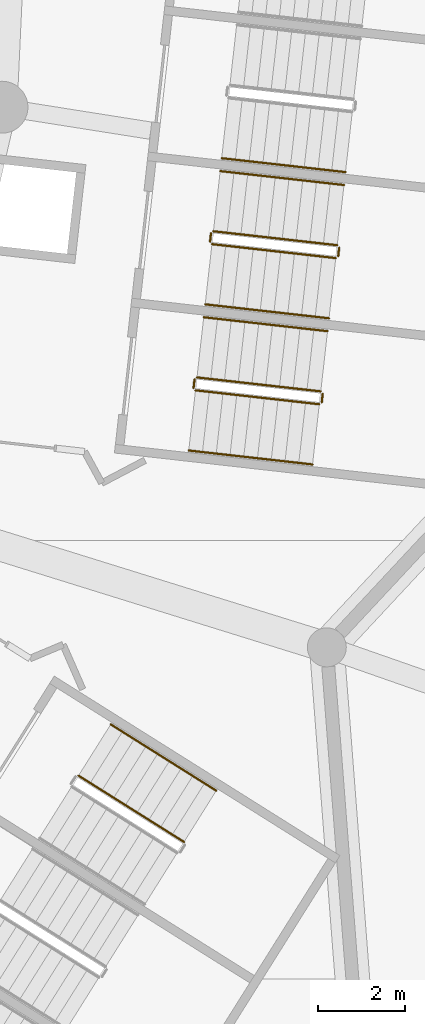
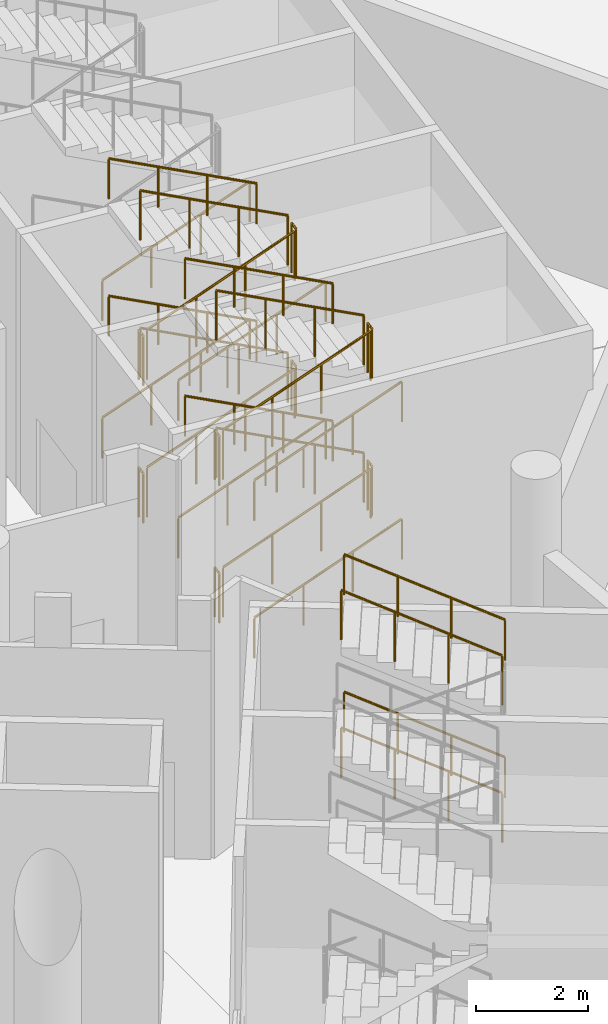
# One storey, part 223 of 249: 30 railings.
"""IFC4 building model written with IfcOpenShell, lengths in metres."""

from ifc_helpers import new_model, si_unit, direction, frame, origin, origin_2d, place, context, subcontext, project, spatial, circle, extrude, material, type_object, element, save


model = new_model("IFC4")

# Units and contexts
model_context = context("Model", 3, precision=1e-05, world=origin(), true_north=direction((0.0, 1.0)))
body_context = subcontext(model_context, "Body", "Model", "MODEL_VIEW")
ifc_project = project(units=[si_unit("LENGTHUNIT", "METRE"), si_unit("AREAUNIT", "SQUARE_METRE"), si_unit("VOLUMEUNIT", "CUBIC_METRE"), si_unit("PLANEANGLEUNIT", "RADIAN"), si_unit("MASSUNIT", "GRAM", prefix="KILO")], contexts=[model_context])

# Site, building, storey
site_placement = place(None, origin())
site = spatial("IfcSite", under=ifc_project, at=site_placement, CompositionType="ELEMENT")
building_placement = place(site_placement, origin())
building = spatial("IfcBuilding", under=site, at=building_placement, Name="Meseta Stadium", CompositionType="ELEMENT")
storey_placement = place(building_placement, frame((0.0, 0.0, 12.0)))
storey = spatial("IfcBuildingStorey", under=building, at=storey_placement, Name="L02", CompositionType="ELEMENT", Elevation=12.0)

# Railings
ifc_material_1 = material(Name="Steel S355", Category="steel")
railing_type_1 = type_object("IfcRailingType", Name="Stair guard 1100", PredefinedType="GUARDRAIL", material=ifc_material_1)
railing_1_placement = place(storey_placement, frame((88.83740234375, -60.10986328125, 0.14990234375)))
element("IfcRailing", 1, at=railing_1_placement, inside=storey, type_object=railing_type_1, Name="ST1 L02 guard 1", PredefinedType="GUARDRAIL", context=body_context, shape_type="SweptSolid", body=[
    extrude(circle(Radius=0.02392578125, at=origin_2d()), frame((0.0, 0.0, 1.076171875), z_axis=(0.899747905232, -0.10139626197, 0.424467319223), x_axis=(0.111985219376, 0.993709872468, 0.0)), (0.0, 0.0, 1.0), 3.1806640625),
    extrude(circle(Radius=0.02099609375, at=origin_2d()), origin(), (0.0, 0.0, 1.0), 1.052001953125),
    extrude(circle(Radius=0.02099609375, at=origin_2d()), frame((0.953857421875, -0.107421875, 0.449951171875)), (0.0, 0.0, 1.0), 1.052001953125),
    extrude(circle(Radius=0.02099609375, at=origin_2d()), frame((1.907958984375, -0.215087890625, 0.900146484375)), (0.0, 0.0, 1.0), 1.052001953125),
    extrude(circle(Radius=0.02099609375, at=origin_2d()), frame((2.86181640625, -0.322509765625, 1.35009765625)), (0.0, 0.0, 1.0), 1.052001953125),
])
railing_2_placement = place(storey_placement, frame((91.754638671875, -60.38818359375, 1.5)))
element("IfcRailing", 2, at=railing_2_placement, inside=storey, type_object=railing_type_1, Name="ST1 L02 guard 2", PredefinedType="GUARDRAIL", context=body_context, shape_type="SweptSolid", body=[
    extrude(circle(Radius=0.02392578125, at=origin_2d()), frame((0.0, 0.0, 1.076171875), z_axis=(0.112307083986, 0.993673547442, 0.0), x_axis=(-0.993673547442, 0.112307083986, 0.0)), (0.0, 0.0, 1.0), 0.199951171875),
    extrude(circle(Radius=0.02099609375, at=origin_2d()), origin(), (0.0, 0.0, 1.0), 1.052001953125),
    extrude(circle(Radius=0.02099609375, at=origin_2d()), frame((0.0224609375, 0.19873046875, 0.0)), (0.0, 0.0, 1.0), 1.052001953125),
])
railing_3_placement = place(storey_placement, frame((91.73291015625, -60.13427734375, 1.64990234375)))
element("IfcRailing", 3, at=railing_3_placement, inside=storey, type_object=railing_type_1, Name="ST1 L02 guard 3", PredefinedType="GUARDRAIL", context=body_context, shape_type="SweptSolid", body=[
    extrude(circle(Radius=0.02392578125, at=origin_2d()), frame((0.0, 0.0, 1.076171875), z_axis=(-0.899747905232, 0.10139626197, 0.424467319223), x_axis=(-0.111985219376, -0.993709872468, 0.0)), (0.0, 0.0, 1.0), 3.1806640625),
    extrude(circle(Radius=0.02099609375, at=origin_2d()), origin(), (0.0, 0.0, 1.0), 1.052001953125),
    extrude(circle(Radius=0.02099609375, at=origin_2d()), frame((-0.953857421875, 0.107421875, 0.449951171875)), (0.0, 0.0, 1.0), 1.052001953125),
    extrude(circle(Radius=0.02099609375, at=origin_2d()), frame((-1.907958984375, 0.215087890625, 0.900146484375)), (0.0, 0.0, 1.0), 1.052001953125),
    extrude(circle(Radius=0.02099609375, at=origin_2d()), frame((-2.86181640625, 0.322509765625, 1.35009765625)), (0.0, 0.0, 1.0), 1.052001953125),
])
railing_4_placement = place(storey_placement, frame((88.793212890625, -60.054443359375, 3.0)))
element("IfcRailing", 4, at=railing_4_placement, inside=storey, type_object=railing_type_1, Name="ST1 L02 guard 4", PredefinedType="GUARDRAIL", context=body_context, shape_type="SweptSolid", body=[
    extrude(circle(Radius=0.02392578125, at=origin_2d()), frame((0.0, 0.0, 1.076171875), z_axis=(0.112307083986, 0.993673547442, 0.0), x_axis=(-0.993673547442, 0.112307083986, 0.0)), (0.0, 0.0, 1.0), 0.199951171875),
    extrude(circle(Radius=0.02099609375, at=origin_2d()), origin(), (0.0, 0.0, 1.0), 1.052001953125),
    extrude(circle(Radius=0.02099609375, at=origin_2d()), frame((0.0224609375, 0.19873046875, 0.0)), (0.0, 0.0, 1.0), 1.052001953125),
])
railing_5_placement = place(storey_placement, frame((88.83740234375, -60.10986328125, 3.14990234375)))
element("IfcRailing", 5, at=railing_5_placement, inside=storey, type_object=railing_type_1, Name="ST1 L02 guard 5", PredefinedType="GUARDRAIL", context=body_context, shape_type="SweptSolid", body=[
    extrude(circle(Radius=0.02392578125, at=origin_2d()), frame((0.0, 0.0, 1.076171875), z_axis=(0.899747905232, -0.10139626197, 0.424467319223), x_axis=(0.111985219376, 0.993709872468, 0.0)), (0.0, 0.0, 1.0), 3.1806640625),
    extrude(circle(Radius=0.02099609375, at=origin_2d()), origin(), (0.0, 0.0, 1.0), 1.052001953125),
    extrude(circle(Radius=0.02099609375, at=origin_2d()), frame((0.953857421875, -0.107421875, 0.449951171875)), (0.0, 0.0, 1.0), 1.052001953125),
    extrude(circle(Radius=0.02099609375, at=origin_2d()), frame((1.907958984375, -0.215087890625, 0.900146484375)), (0.0, 0.0, 1.0), 1.052001953125),
    extrude(circle(Radius=0.02099609375, at=origin_2d()), frame((2.86181640625, -0.322509765625, 1.35009765625)), (0.0, 0.0, 1.0), 1.052001953125),
])
railing_6_placement = place(storey_placement, frame((91.754638671875, -60.38818359375, 4.5)))
element("IfcRailing", 6, at=railing_6_placement, inside=storey, type_object=railing_type_1, Name="ST1 L02 guard 6", PredefinedType="GUARDRAIL", context=body_context, shape_type="SweptSolid", body=[
    extrude(circle(Radius=0.02392578125, at=origin_2d()), frame((0.0, 0.0, 1.076171875), z_axis=(0.112307083986, 0.993673547442, 0.0), x_axis=(-0.993673547442, 0.112307083986, 0.0)), (0.0, 0.0, 1.0), 0.199951171875),
    extrude(circle(Radius=0.02099609375, at=origin_2d()), origin(), (0.0, 0.0, 1.0), 1.052001953125),
    extrude(circle(Radius=0.02099609375, at=origin_2d()), frame((0.0224609375, 0.19873046875, 0.0)), (0.0, 0.0, 1.0), 1.052001953125),
])
railing_7_placement = place(storey_placement, frame((91.73291015625, -60.13427734375, 4.64990234375)))
element("IfcRailing", 7, at=railing_7_placement, inside=storey, type_object=railing_type_1, Name="ST1 L02 guard 7", PredefinedType="GUARDRAIL", context=body_context, shape_type="SweptSolid", body=[
    extrude(circle(Radius=0.02392578125, at=origin_2d()), frame((0.0, 0.0, 1.076171875), z_axis=(-0.899747905232, 0.10139626197, 0.424467319223), x_axis=(-0.111985219376, -0.993709872468, 0.0)), (0.0, 0.0, 1.0), 3.1806640625),
    extrude(circle(Radius=0.02099609375, at=origin_2d()), origin(), (0.0, 0.0, 1.0), 1.052001953125),
    extrude(circle(Radius=0.02099609375, at=origin_2d()), frame((-0.953857421875, 0.107421875, 0.449951171875)), (0.0, 0.0, 1.0), 1.052001953125),
    extrude(circle(Radius=0.02099609375, at=origin_2d()), frame((-1.907958984375, 0.215087890625, 0.900146484375)), (0.0, 0.0, 1.0), 1.052001953125),
    extrude(circle(Radius=0.02099609375, at=origin_2d()), frame((-2.86181640625, 0.322509765625, 1.35009765625)), (0.0, 0.0, 1.0), 1.052001953125),
])
railing_8_placement = place(storey_placement, frame((88.793212890625, -60.054443359375, 0.0)))
element("IfcRailing", 8, at=railing_8_placement, inside=storey, type_object=railing_type_1, Name="ST1 L02 guard 8", PredefinedType="GUARDRAIL", context=body_context, shape_type="SweptSolid", body=[
    extrude(circle(Radius=0.02392578125, at=origin_2d()), frame((0.0, 0.0, 1.076171875), z_axis=(0.112307083986, 0.993673547442, 0.0), x_axis=(-0.993673547442, 0.112307083986, 0.0)), (0.0, 0.0, 1.0), 0.199951171875),
    extrude(circle(Radius=0.02099609375, at=origin_2d()), origin(), (0.0, 0.0, 1.0), 1.052001953125),
    extrude(circle(Radius=0.02099609375, at=origin_2d()), frame((0.0224609375, 0.19873046875, 0.0)), (0.0, 0.0, 1.0), 1.052001953125),
])
railing_9_placement = place(storey_placement, frame((89.218017578125, -56.731201171875, 0.14990234375)))
element("IfcRailing", 9, at=railing_9_placement, inside=storey, type_object=railing_type_1, Name="ST2 L02 guard 1", PredefinedType="GUARDRAIL", context=body_context, shape_type="SweptSolid", body=[
    extrude(circle(Radius=0.02392578125, at=origin_2d()), frame((0.0, 0.0, 1.076171875), z_axis=(0.899762522411, -0.101389259755, 0.424438006392), x_axis=(0.11197578655, 0.993710935447, 0.0)), (0.0, 0.0, 1.0), 3.180908203125),
    extrude(circle(Radius=0.02099609375, at=origin_2d()), origin(), (0.0, 0.0, 1.0), 1.052001953125),
    extrude(circle(Radius=0.02099609375, at=origin_2d()), frame((0.9541015625, -0.107421875, 0.449951171875)), (0.0, 0.0, 1.0), 1.052001953125),
    extrude(circle(Radius=0.02099609375, at=origin_2d()), frame((1.907958984375, -0.215087890625, 0.900146484375)), (0.0, 0.0, 1.0), 1.052001953125),
    extrude(circle(Radius=0.02099609375, at=origin_2d()), frame((2.862060546875, -0.322509765625, 1.35009765625)), (0.0, 0.0, 1.0), 1.052001953125),
])
railing_10_placement = place(storey_placement, frame((92.13525390625, -57.009521484375, 1.5)))
element("IfcRailing", 10, at=railing_10_placement, inside=storey, type_object=railing_type_1, Name="ST2 L02 guard 2", PredefinedType="GUARDRAIL", context=body_context, shape_type="SweptSolid", body=[
    extrude(circle(Radius=0.02392578125, at=origin_2d()), frame((0.0, 0.0, 1.076171875), z_axis=(0.112307083986, 0.993673547442, 0.0), x_axis=(-0.993673547442, 0.112307083986, 0.0)), (0.0, 0.0, 1.0), 0.199951171875),
    extrude(circle(Radius=0.02099609375, at=origin_2d()), origin(), (0.0, 0.0, 1.0), 1.052001953125),
    extrude(circle(Radius=0.02099609375, at=origin_2d()), frame((0.0224609375, 0.19873046875, 0.0)), (0.0, 0.0, 1.0), 1.052001953125),
])
railing_11_placement = place(storey_placement, frame((92.113525390625, -56.755615234375, 1.64990234375)))
element("IfcRailing", 11, at=railing_11_placement, inside=storey, type_object=railing_type_1, Name="ST2 L02 guard 3", PredefinedType="GUARDRAIL", context=body_context, shape_type="SweptSolid", body=[
    extrude(circle(Radius=0.02392578125, at=origin_2d()), frame((0.0, 0.0, 1.076171875), z_axis=(-0.899747905232, 0.10139626197, 0.424467319223), x_axis=(-0.111985219376, -0.993709872468, 0.0)), (0.0, 0.0, 1.0), 3.1806640625),
    extrude(circle(Radius=0.02099609375, at=origin_2d()), origin(), (0.0, 0.0, 1.0), 1.052001953125),
    extrude(circle(Radius=0.02099609375, at=origin_2d()), frame((-0.953857421875, 0.107421875, 0.449951171875)), (0.0, 0.0, 1.0), 1.052001953125),
    extrude(circle(Radius=0.02099609375, at=origin_2d()), frame((-1.907958984375, 0.215087890625, 0.900146484375)), (0.0, 0.0, 1.0), 1.052001953125),
    extrude(circle(Radius=0.02099609375, at=origin_2d()), frame((-2.86181640625, 0.322509765625, 1.35009765625)), (0.0, 0.0, 1.0), 1.052001953125),
])
railing_12_placement = place(storey_placement, frame((89.174072265625, -56.676025390625, 3.0)))
element("IfcRailing", 12, at=railing_12_placement, inside=storey, type_object=railing_type_1, Name="ST2 L02 guard 4", PredefinedType="GUARDRAIL", context=body_context, shape_type="SweptSolid", body=[
    extrude(circle(Radius=0.02392578125, at=origin_2d()), frame((0.0, 0.0, 1.076171875), z_axis=(0.111101504696, 0.993809063983, 0.0), x_axis=(-0.993809063983, 0.111101504696, 0.0)), (0.0, 0.0, 1.0), 0.199951171875),
    extrude(circle(Radius=0.02099609375, at=origin_2d()), origin(), (0.0, 0.0, 1.0), 1.052001953125),
    extrude(circle(Radius=0.02099609375, at=origin_2d()), frame((0.022216796875, 0.19873046875, 0.0)), (0.0, 0.0, 1.0), 1.052001953125),
])
railing_13_placement = place(storey_placement, frame((89.218017578125, -56.731201171875, 3.14990234375)))
element("IfcRailing", 13, at=railing_13_placement, inside=storey, type_object=railing_type_1, Name="ST2 L02 guard 5", PredefinedType="GUARDRAIL", context=body_context, shape_type="SweptSolid", body=[
    extrude(circle(Radius=0.02392578125, at=origin_2d()), frame((0.0, 0.0, 1.076171875), z_axis=(0.899762522411, -0.101389259755, 0.424438006392), x_axis=(0.11197578655, 0.993710935447, 0.0)), (0.0, 0.0, 1.0), 3.180908203125),
    extrude(circle(Radius=0.02099609375, at=origin_2d()), origin(), (0.0, 0.0, 1.0), 1.052001953125),
    extrude(circle(Radius=0.02099609375, at=origin_2d()), frame((0.9541015625, -0.107421875, 0.449951171875)), (0.0, 0.0, 1.0), 1.052001953125),
    extrude(circle(Radius=0.02099609375, at=origin_2d()), frame((1.907958984375, -0.215087890625, 0.900146484375)), (0.0, 0.0, 1.0), 1.052001953125),
    extrude(circle(Radius=0.02099609375, at=origin_2d()), frame((2.862060546875, -0.322509765625, 1.35009765625)), (0.0, 0.0, 1.0), 1.052001953125),
])
railing_14_placement = place(storey_placement, frame((92.13525390625, -57.009521484375, 4.5)))
element("IfcRailing", 14, at=railing_14_placement, inside=storey, type_object=railing_type_1, Name="ST2 L02 guard 6", PredefinedType="GUARDRAIL", context=body_context, shape_type="SweptSolid", body=[
    extrude(circle(Radius=0.02392578125, at=origin_2d()), frame((0.0, 0.0, 1.076171875), z_axis=(0.112307083986, 0.993673547442, 0.0), x_axis=(-0.993673547442, 0.112307083986, 0.0)), (0.0, 0.0, 1.0), 0.199951171875),
    extrude(circle(Radius=0.02099609375, at=origin_2d()), origin(), (0.0, 0.0, 1.0), 1.052001953125),
    extrude(circle(Radius=0.02099609375, at=origin_2d()), frame((0.0224609375, 0.19873046875, 0.0)), (0.0, 0.0, 1.0), 1.052001953125),
])
railing_15_placement = place(storey_placement, frame((92.113525390625, -56.755615234375, 4.64990234375)))
element("IfcRailing", 15, at=railing_15_placement, inside=storey, type_object=railing_type_1, Name="ST2 L02 guard 7", PredefinedType="GUARDRAIL", context=body_context, shape_type="SweptSolid", body=[
    extrude(circle(Radius=0.02392578125, at=origin_2d()), frame((0.0, 0.0, 1.076171875), z_axis=(-0.899747905232, 0.10139626197, 0.424467319223), x_axis=(-0.111985219376, -0.993709872468, 0.0)), (0.0, 0.0, 1.0), 3.1806640625),
    extrude(circle(Radius=0.02099609375, at=origin_2d()), origin(), (0.0, 0.0, 1.0), 1.052001953125),
    extrude(circle(Radius=0.02099609375, at=origin_2d()), frame((-0.953857421875, 0.107421875, 0.449951171875)), (0.0, 0.0, 1.0), 1.052001953125),
    extrude(circle(Radius=0.02099609375, at=origin_2d()), frame((-1.907958984375, 0.215087890625, 0.900146484375)), (0.0, 0.0, 1.0), 1.052001953125),
    extrude(circle(Radius=0.02099609375, at=origin_2d()), frame((-2.86181640625, 0.322509765625, 1.35009765625)), (0.0, 0.0, 1.0), 1.052001953125),
])
railing_16_placement = place(storey_placement, frame((89.174072265625, -56.676025390625, 0.0)))
element("IfcRailing", 16, at=railing_16_placement, inside=storey, type_object=railing_type_1, Name="ST2 L02 guard 8", PredefinedType="GUARDRAIL", context=body_context, shape_type="SweptSolid", body=[
    extrude(circle(Radius=0.02392578125, at=origin_2d()), frame((0.0, 0.0, 1.076171875), z_axis=(0.111101504696, 0.993809063983, 0.0), x_axis=(-0.993809063983, 0.111101504696, 0.0)), (0.0, 0.0, 1.0), 0.199951171875),
    extrude(circle(Radius=0.02099609375, at=origin_2d()), origin(), (0.0, 0.0, 1.0), 1.052001953125),
    extrude(circle(Radius=0.02099609375, at=origin_2d()), frame((0.022216796875, 0.19873046875, 0.0)), (0.0, 0.0, 1.0), 1.052001953125),
])
for number, where, name in (
    (17, (88.572265625, -70.549560546875, 1.64990234375), "ST112 L02 guard 3"),
    (18, (88.572265625, -70.549560546875, 4.64990234375), "ST112 L02 guard 7"),
):
    element("IfcRailing", number, at=place(storey_placement, frame(where)), inside=storey, type_object=railing_type_1, Name=name, PredefinedType="GUARDRAIL", context=body_context, shape_type="SweptSolid", body=[
        extrude(circle(Radius=0.02392578125, at=origin_2d()), frame((0.0, 0.0, 1.076171875), z_axis=(-0.766655447606, 0.481731036161, 0.424469826318), x_axis=(-0.53203959143, -0.846719477248, 0.0)), (0.0, 0.0, 1.0), 3.1806640625),
        extrude(circle(Radius=0.02099609375, at=origin_2d()), origin(), (0.0, 0.0, 1.0), 1.052001953125),
        extrude(circle(Radius=0.02099609375, at=origin_2d()), frame((-0.812744140625, 0.5107421875, 0.449951171875)), (0.0, 0.0, 1.0), 1.052001953125),
        extrude(circle(Radius=0.02099609375, at=origin_2d()), frame((-1.625732421875, 1.021484375, 0.900146484375)), (0.0, 0.0, 1.0), 1.052001953125),
        extrude(circle(Radius=0.02099609375, at=origin_2d()), frame((-2.4384765625, 1.5322265625, 1.35009765625)), (0.0, 0.0, 1.0), 1.052001953125),
    ])
ifc_material_2 = material(Name="Steel S355", Category="steel")
railing_type_2 = type_object("IfcRailingType", Name="Stair handrail 900", PredefinedType="HANDRAIL", material=ifc_material_2)
railing_17_placement = place(storey_placement, frame((88.6806640625, -61.5009765625, 0.14990234375)))
element("IfcRailing", 19, at=railing_17_placement, inside=storey, type_object=railing_type_2, Name="ST1 L02 handrail 1", PredefinedType="HANDRAIL", context=body_context, shape_type="SweptSolid", body=[
    extrude(circle(Radius=0.02392578125, at=origin_2d()), frame((0.0, 0.0, 0.8759765625), z_axis=(0.899747905232, -0.10139626197, 0.424467319223), x_axis=(0.111985219376, 0.993709872468, 0.0)), (0.0, 0.0, 1.0), 3.1806640625),
    extrude(circle(Radius=0.02099609375, at=origin_2d()), origin(), (0.0, 0.0, 1.0), 0.851806640625),
    extrude(circle(Radius=0.02099609375, at=origin_2d()), frame((0.953857421875, -0.107421875, 0.449951171875)), (0.0, 0.0, 1.0), 0.851806640625),
    extrude(circle(Radius=0.02099609375, at=origin_2d()), frame((1.907958984375, -0.215087890625, 0.900146484375)), (0.0, 0.0, 1.0), 0.851806640625),
    extrude(circle(Radius=0.02099609375, at=origin_2d()), frame((2.86181640625, -0.322509765625, 1.35009765625)), (0.0, 0.0, 1.0), 0.851806640625),
])
railing_18_placement = place(storey_placement, frame((91.8896484375, -58.742919921875, 1.64990234375)))
element("IfcRailing", 20, at=railing_18_placement, inside=storey, type_object=railing_type_2, Name="ST1 L02 handrail 2", PredefinedType="HANDRAIL", context=body_context, shape_type="SweptSolid", body=[
    extrude(circle(Radius=0.02392578125, at=origin_2d()), frame((0.0, 0.0, 0.8759765625), z_axis=(-0.899747905232, 0.10139626197, 0.424467319223), x_axis=(-0.111985219376, -0.993709872468, 0.0)), (0.0, 0.0, 1.0), 3.1806640625),
    extrude(circle(Radius=0.02099609375, at=origin_2d()), origin(), (0.0, 0.0, 1.0), 0.851806640625),
    extrude(circle(Radius=0.02099609375, at=origin_2d()), frame((-0.953857421875, 0.107421875, 0.449951171875)), (0.0, 0.0, 1.0), 0.851806640625),
    extrude(circle(Radius=0.02099609375, at=origin_2d()), frame((-1.907958984375, 0.215087890625, 0.900146484375)), (0.0, 0.0, 1.0), 0.851806640625),
    extrude(circle(Radius=0.02099609375, at=origin_2d()), frame((-2.86181640625, 0.322509765625, 1.35009765625)), (0.0, 0.0, 1.0), 0.851806640625),
])
railing_19_placement = place(storey_placement, frame((88.6806640625, -61.5009765625, 3.14990234375)))
element("IfcRailing", 21, at=railing_19_placement, inside=storey, type_object=railing_type_2, Name="ST1 L02 handrail 3", PredefinedType="HANDRAIL", context=body_context, shape_type="SweptSolid", body=[
    extrude(circle(Radius=0.02392578125, at=origin_2d()), frame((0.0, 0.0, 0.8759765625), z_axis=(0.899747905232, -0.10139626197, 0.424467319223), x_axis=(0.111985219376, 0.993709872468, 0.0)), (0.0, 0.0, 1.0), 3.1806640625),
    extrude(circle(Radius=0.02099609375, at=origin_2d()), origin(), (0.0, 0.0, 1.0), 0.851806640625),
    extrude(circle(Radius=0.02099609375, at=origin_2d()), frame((0.953857421875, -0.107421875, 0.449951171875)), (0.0, 0.0, 1.0), 0.851806640625),
    extrude(circle(Radius=0.02099609375, at=origin_2d()), frame((1.907958984375, -0.215087890625, 0.900146484375)), (0.0, 0.0, 1.0), 0.851806640625),
    extrude(circle(Radius=0.02099609375, at=origin_2d()), frame((2.86181640625, -0.322509765625, 1.35009765625)), (0.0, 0.0, 1.0), 0.851806640625),
])
railing_20_placement = place(storey_placement, frame((91.8896484375, -58.742919921875, 4.64990234375)))
element("IfcRailing", 22, at=railing_20_placement, inside=storey, type_object=railing_type_2, Name="ST1 L02 handrail 4", PredefinedType="HANDRAIL", context=body_context, shape_type="SweptSolid", body=[
    extrude(circle(Radius=0.02392578125, at=origin_2d()), frame((0.0, 0.0, 0.8759765625), z_axis=(-0.899747905232, 0.10139626197, 0.424467319223), x_axis=(-0.111985219376, -0.993709872468, 0.0)), (0.0, 0.0, 1.0), 3.1806640625),
    extrude(circle(Radius=0.02099609375, at=origin_2d()), origin(), (0.0, 0.0, 1.0), 0.851806640625),
    extrude(circle(Radius=0.02099609375, at=origin_2d()), frame((-0.953857421875, 0.107421875, 0.449951171875)), (0.0, 0.0, 1.0), 0.851806640625),
    extrude(circle(Radius=0.02099609375, at=origin_2d()), frame((-1.907958984375, 0.215087890625, 0.900146484375)), (0.0, 0.0, 1.0), 0.851806640625),
    extrude(circle(Radius=0.02099609375, at=origin_2d()), frame((-2.86181640625, 0.322509765625, 1.35009765625)), (0.0, 0.0, 1.0), 0.851806640625),
])
railing_21_placement = place(storey_placement, frame((89.061279296875, -58.122314453125, 0.14990234375)))
element("IfcRailing", 23, at=railing_21_placement, inside=storey, type_object=railing_type_2, Name="ST2 L02 handrail 1", PredefinedType="HANDRAIL", context=body_context, shape_type="SweptSolid", body=[
    extrude(circle(Radius=0.02392578125, at=origin_2d()), frame((0.0, 0.0, 0.8759765625), z_axis=(0.899762522411, -0.101389259755, 0.424438006392), x_axis=(0.11197578655, 0.993710935447, 0.0)), (0.0, 0.0, 1.0), 3.180908203125),
    extrude(circle(Radius=0.02099609375, at=origin_2d()), origin(), (0.0, 0.0, 1.0), 0.851806640625),
    extrude(circle(Radius=0.02099609375, at=origin_2d()), frame((0.9541015625, -0.107421875, 0.449951171875)), (0.0, 0.0, 1.0), 0.851806640625),
    extrude(circle(Radius=0.02099609375, at=origin_2d()), frame((1.907958984375, -0.215087890625, 0.900146484375)), (0.0, 0.0, 1.0), 0.851806640625),
    extrude(circle(Radius=0.02099609375, at=origin_2d()), frame((2.862060546875, -0.322509765625, 1.35009765625)), (0.0, 0.0, 1.0), 0.851806640625),
])
railing_22_placement = place(storey_placement, frame((92.270263671875, -55.3642578125, 1.64990234375)))
element("IfcRailing", 24, at=railing_22_placement, inside=storey, type_object=railing_type_2, Name="ST2 L02 handrail 2", PredefinedType="HANDRAIL", context=body_context, shape_type="SweptSolid", body=[
    extrude(circle(Radius=0.02392578125, at=origin_2d()), frame((0.0, 0.0, 0.8759765625), z_axis=(-0.899754905305, 0.101320293039, 0.424470621595), x_axis=(-0.111901508232, -0.993719302648, 0.0)), (0.0, 0.0, 1.0), 3.1806640625),
    extrude(circle(Radius=0.02099609375, at=origin_2d()), origin(), (0.0, 0.0, 1.0), 0.851806640625),
    extrude(circle(Radius=0.02099609375, at=origin_2d()), frame((-0.953857421875, 0.107421875, 0.449951171875)), (0.0, 0.0, 1.0), 0.851806640625),
    extrude(circle(Radius=0.02099609375, at=origin_2d()), frame((-1.907958984375, 0.21484375, 0.900146484375)), (0.0, 0.0, 1.0), 0.851806640625),
    extrude(circle(Radius=0.02099609375, at=origin_2d()), frame((-2.86181640625, 0.322265625, 1.35009765625)), (0.0, 0.0, 1.0), 0.851806640625),
])
railing_23_placement = place(storey_placement, frame((89.061279296875, -58.122314453125, 3.14990234375)))
element("IfcRailing", 25, at=railing_23_placement, inside=storey, type_object=railing_type_2, Name="ST2 L02 handrail 3", PredefinedType="HANDRAIL", context=body_context, shape_type="SweptSolid", body=[
    extrude(circle(Radius=0.02392578125, at=origin_2d()), frame((0.0, 0.0, 0.8759765625), z_axis=(0.899762522411, -0.101389259755, 0.424438006392), x_axis=(0.11197578655, 0.993710935447, 0.0)), (0.0, 0.0, 1.0), 3.180908203125),
    extrude(circle(Radius=0.02099609375, at=origin_2d()), origin(), (0.0, 0.0, 1.0), 0.851806640625),
    extrude(circle(Radius=0.02099609375, at=origin_2d()), frame((0.9541015625, -0.107421875, 0.449951171875)), (0.0, 0.0, 1.0), 0.851806640625),
    extrude(circle(Radius=0.02099609375, at=origin_2d()), frame((1.907958984375, -0.215087890625, 0.900146484375)), (0.0, 0.0, 1.0), 0.851806640625),
    extrude(circle(Radius=0.02099609375, at=origin_2d()), frame((2.862060546875, -0.322509765625, 1.35009765625)), (0.0, 0.0, 1.0), 0.851806640625),
])
railing_24_placement = place(storey_placement, frame((92.270263671875, -55.3642578125, 4.64990234375)))
element("IfcRailing", 26, at=railing_24_placement, inside=storey, type_object=railing_type_2, Name="ST2 L02 handrail 4", PredefinedType="HANDRAIL", context=body_context, shape_type="SweptSolid", body=[
    extrude(circle(Radius=0.02392578125, at=origin_2d()), frame((0.0, 0.0, 0.8759765625), z_axis=(-0.899754905305, 0.101320293039, 0.424470621595), x_axis=(-0.111901508232, -0.993719302648, 0.0)), (0.0, 0.0, 1.0), 3.1806640625),
    extrude(circle(Radius=0.02099609375, at=origin_2d()), origin(), (0.0, 0.0, 1.0), 0.851806640625),
    extrude(circle(Radius=0.02099609375, at=origin_2d()), frame((-0.953857421875, 0.107421875, 0.449951171875)), (0.0, 0.0, 1.0), 0.851806640625),
    extrude(circle(Radius=0.02099609375, at=origin_2d()), frame((-1.907958984375, 0.21484375, 0.900146484375)), (0.0, 0.0, 1.0), 0.851806640625),
    extrude(circle(Radius=0.02099609375, at=origin_2d()), frame((-2.86181640625, 0.322265625, 1.35009765625)), (0.0, 0.0, 1.0), 0.851806640625),
])
for number, where, name in (
    (27, (89.442138671875, -54.743896484375, 0.14990234375), "ST3 L02 handrail 1"),
    (28, (89.442138671875, -54.743896484375, 3.14990234375), "ST3 L02 handrail 3"),
):
    element("IfcRailing", number, at=place(storey_placement, frame(where)), inside=storey, type_object=railing_type_2, Name=name, PredefinedType="HANDRAIL", context=body_context, shape_type="SweptSolid", body=[
        extrude(circle(Radius=0.02392578125, at=origin_2d()), frame((0.0, 0.0, 0.8759765625), z_axis=(0.899754905305, -0.101320293039, 0.424470621595), x_axis=(0.111901508232, 0.993719302648, 0.0)), (0.0, 0.0, 1.0), 3.1806640625),
        extrude(circle(Radius=0.02099609375, at=origin_2d()), origin(), (0.0, 0.0, 1.0), 0.851806640625),
        extrude(circle(Radius=0.02099609375, at=origin_2d()), frame((0.953857421875, -0.107421875, 0.449951171875)), (0.0, 0.0, 1.0), 0.851806640625),
        extrude(circle(Radius=0.02099609375, at=origin_2d()), frame((1.907958984375, -0.21484375, 0.900146484375)), (0.0, 0.0, 1.0), 0.851806640625),
        extrude(circle(Radius=0.02099609375, at=origin_2d()), frame((2.86181640625, -0.322265625, 1.35009765625)), (0.0, 0.0, 1.0), 0.851806640625),
    ])
for number, where, name in (
    (29, (89.317138671875, -69.3642578125, 1.64990234375), "ST112 L02 handrail 2"),
    (30, (89.317138671875, -69.3642578125, 4.64990234375), "ST112 L02 handrail 4"),
):
    element("IfcRailing", number, at=place(storey_placement, frame(where)), inside=storey, type_object=railing_type_2, Name=name, PredefinedType="HANDRAIL", context=body_context, shape_type="SweptSolid", body=[
        extrude(circle(Radius=0.02392578125, at=origin_2d()), frame((0.0, 0.0, 0.8759765625), z_axis=(-0.766627098651, 0.481789977797, 0.424454130511), x_axis=(-0.532100364439, -0.846681287241, 0.0)), (0.0, 0.0, 1.0), 3.1806640625),
        extrude(circle(Radius=0.02099609375, at=origin_2d()), origin(), (0.0, 0.0, 1.0), 0.851806640625),
        extrude(circle(Radius=0.02099609375, at=origin_2d()), frame((-0.812744140625, 0.5107421875, 0.449951171875)), (0.0, 0.0, 1.0), 0.851806640625),
        extrude(circle(Radius=0.02099609375, at=origin_2d()), frame((-1.625732421875, 1.021728515625, 0.900146484375)), (0.0, 0.0, 1.0), 0.851806640625),
        extrude(circle(Radius=0.02099609375, at=origin_2d()), frame((-2.4384765625, 1.532470703125, 1.35009765625)), (0.0, 0.0, 1.0), 0.851806640625),
    ])

save(model, "model.ifc")
